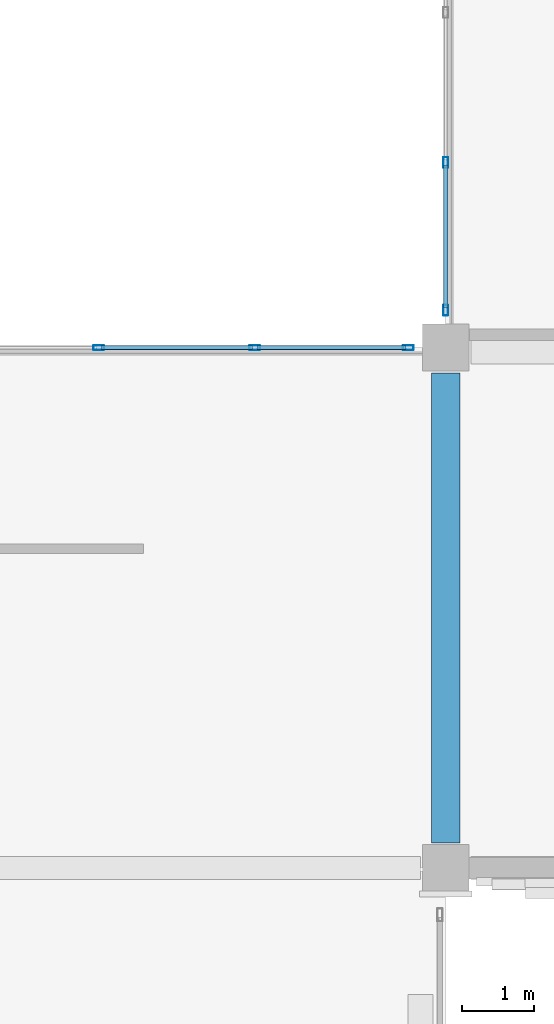
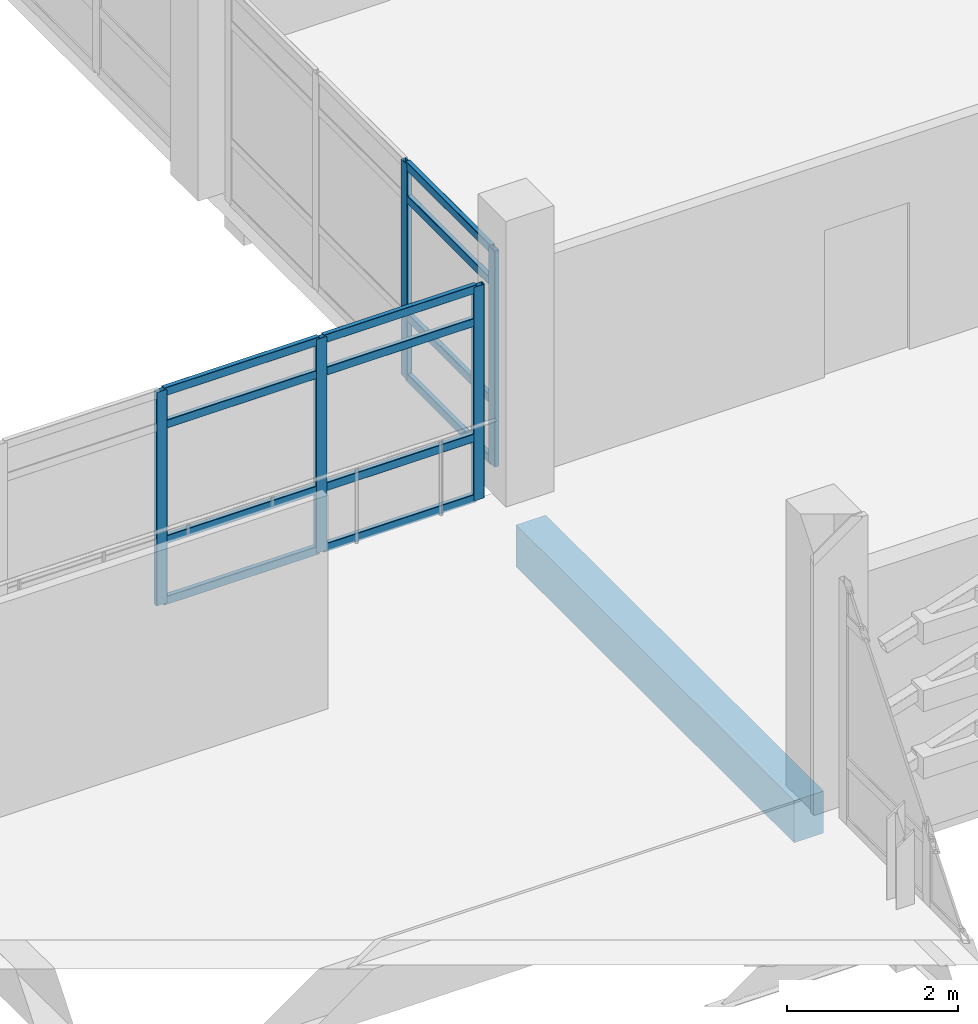
# One storey, part 20 of 72: 17 members, 1 beam, 2 elements without a shape of their own.
"""IFC4 building model written with IfcOpenShell, lengths in metres."""

import ifcopenshell
import ifcopenshell.guid

model = None  # the IFC model being written
_history = None  # IfcOwnerHistory: only IFC2X3 demands one
_inside = {}  # id of a spatial element -> (the spatial element, [elements in it])
_under = {}  # id of a project, library or spatial element -> (it, [spatial elements below it])
_declared = {}  # id of a project -> (the project, [libraries it declares])
_typed = {}  # id of a type object -> (the type object, [elements of that type])
_made_of = {}  # id of a material, layer set ... -> (it, [elements and type objects made of it])


def new_model(schema):
    """Start an empty IFC model of exactly this schema.

    Asked for "IFC4X3", IfcOpenShell would pick the latest addendum, in which some entities
    have other attributes; the version numbers below select the first issue.
    IFC2X3 requires an IfcOwnerHistory on every rooted entity: one is made here for all.
    """
    global model, _history
    if schema == "IFC4X3":
        model = ifcopenshell.file(schema_version=(4, 3, 0, 0))
    else:
        model = ifcopenshell.file(schema=schema)
    _inside.clear()
    _under.clear()
    _declared.clear()
    _typed.clear()
    _made_of.clear()
    _history = None
    if model.schema == "IFC2X3":
        org = make("IfcOrganization", Name="unknown")
        user = make(
            "IfcPersonAndOrganization",
            ThePerson=make("IfcPerson", FamilyName="unknown"),
            TheOrganization=org,
        )
        app = make(
            "IfcApplication",
            ApplicationDeveloper=org,
            Version="unknown",
            ApplicationFullName="unknown",
            ApplicationIdentifier="unknown",
        )
        _history = make(
            "IfcOwnerHistory",
            OwningUser=user,
            OwningApplication=app,
            ChangeAction="ADDED",
            CreationDate=0,
        )
    return model


def make(cls, **values):
    """One entity of the class cls with the attributes given. An attribute that is None is left unset."""
    return model.create_entity(
        cls, **{name: value for name, value in values.items() if value is not None}
    )


def rooted(cls, **values):
    """An entity with a GlobalId (a new one), such as an element, a storey or a relation."""
    return make(cls, GlobalId=ifcopenshell.guid.new(), OwnerHistory=_history, **values)


def si_unit(unit_type, name, prefix=None):
    """IfcSIUnit, for example si_unit("LENGTHUNIT", "METRE", prefix="MILLI")."""
    return make("IfcSIUnit", UnitType=unit_type, Prefix=prefix, Name=name)


def assignment(units):
    """IfcUnitAssignment: the units of a project."""
    return None if units is None else make("IfcUnitAssignment", Units=units)


def point(xyz):
    """IfcCartesianPoint."""
    return None if xyz is None else make("IfcCartesianPoint", Coordinates=xyz)


def direction(xyz):
    """IfcDirection."""
    return None if xyz is None else make("IfcDirection", DirectionRatios=xyz)


def frame(location, z_axis=None, x_axis=None):
    """IfcAxis2Placement3D, a coordinate frame: its origin and axes. An axis left out is left unset."""
    return make(
        "IfcAxis2Placement3D",
        Location=point(location),
        Axis=direction(z_axis),
        RefDirection=direction(x_axis),
    )


def frame_2d(location, x_axis=None):
    """IfcAxis2Placement2D, a coordinate frame in the plane: its origin and x axis."""
    return make(
        "IfcAxis2Placement2D", Location=point(location), RefDirection=direction(x_axis)
    )


def origin():
    """The frame at (0, 0, 0) with its axes left unset."""
    return frame((0.0, 0.0, 0.0))


def origin_2d():
    """The frame at (0, 0) in the plane with its x axis left unset."""
    return frame_2d((0.0, 0.0))


def place(relative_to, where):
    """IfcLocalPlacement: puts the frame where relative to a parent placement (None: the world)."""
    return make(
        "IfcLocalPlacement", PlacementRelTo=relative_to, RelativePlacement=where
    )


def context(
    kind, dimensions, precision=None, world=None, true_north=None, identifier=None
):
    """IfcGeometricRepresentationContext, for example the 3D "Model" context."""
    return make(
        "IfcGeometricRepresentationContext",
        ContextIdentifier=identifier,
        ContextType=kind,
        CoordinateSpaceDimension=dimensions,
        Precision=precision,
        WorldCoordinateSystem=world,
        TrueNorth=true_north,
    )


def subcontext(parent, identifier, kind, view, scale=None):
    """IfcGeometricRepresentationSubContext, for example "Body" below "Model"."""
    return make(
        "IfcGeometricRepresentationSubContext",
        ContextIdentifier=identifier,
        ContextType=kind,
        ParentContext=parent,
        TargetScale=scale,
        TargetView=view,
    )


def project(units=None, contexts=None):
    """IfcProject with its units and contexts."""
    return rooted(
        "IfcProject",
        Name="project",
        RepresentationContexts=contexts,
        UnitsInContext=assignment(units),
    )


def spatial(cls, under=None, at=None, **own):
    """A site, building, storey or space (cls), placed at a placement, below another one or the project."""
    s = rooted(cls, ObjectPlacement=at, **own)
    if under is not None:
        _under.setdefault(under.id(), (under, []))[1].append(s)
    return s


def profile(cls, at=None, kind="AREA", **sizes):
    """A parametric profile (cls). Its sizes go by their IFC names, for example OverallWidth=200.0."""
    return make(cls, ProfileType=kind, Position=at, **sizes)


def rectangle(**sizes):
    """IfcRectangleProfileDef."""
    return profile("IfcRectangleProfileDef", **sizes)


def hollow_rectangle(**sizes):
    """IfcRectangleHollowProfileDef."""
    return profile("IfcRectangleHollowProfileDef", **sizes)


def extrude(swept, where, along, depth):
    """IfcExtrudedAreaSolid: the profile swept, set in the frame where, extruded along a direction by depth."""
    return make(
        "IfcExtrudedAreaSolid",
        SweptArea=swept,
        Position=where,
        ExtrudedDirection=direction(along),
        Depth=depth,
    )


def shape(context_of_items, identifier, shape_type, items):
    """IfcShapeRepresentation: the items that make up one representation, for example the "Body"."""
    return make(
        "IfcShapeRepresentation",
        ContextOfItems=context_of_items,
        RepresentationIdentifier=identifier,
        RepresentationType=shape_type,
        Items=items,
    )


def material(Name=None, Category=None):
    """IfcMaterial."""
    return make("IfcMaterial", Name=Name, Category=Category)


def layer(
    of_material, thickness, ventilated=None, Name=None, Category=None, Priority=None
):
    """IfcMaterialLayer: one layer of a wall or slab, of a material (None: an air gap)."""
    return make(
        "IfcMaterialLayer",
        Material=of_material,
        LayerThickness=thickness,
        IsVentilated=ventilated,
        Name=Name,
        Category=Category,
        Priority=Priority,
    )


def layer_set(layers, Name=None):
    """IfcMaterialLayerSet."""
    return make("IfcMaterialLayerSet", MaterialLayers=layers, LayerSetName=Name)


def material_profile(
    of_material, cross_section, Name=None, Category=None, Priority=None
):
    """IfcMaterialProfile: a cross section and its material."""
    return make(
        "IfcMaterialProfile",
        Name=Name,
        Material=of_material,
        Profile=cross_section,
        Priority=Priority,
        Category=Category,
    )


def profile_set(profiles, Name=None, composite=None):
    """IfcMaterialProfileSet."""
    return make(
        "IfcMaterialProfileSet",
        Name=Name,
        MaterialProfiles=profiles,
        CompositeProfile=composite,
    )


def made_of(thing, what):
    """Note that an element or type object is made of a material, layer set ...; save() writes the relation."""
    if what is not None:
        _made_of.setdefault(what.id(), (what, []))[1].append(thing)
    return thing


def type_object(cls, material=None, **own):
    """A type object (cls), such as IfcWallType, which elements share."""
    return made_of(rooted(cls, **own), material)


def element(
    cls,
    number,
    at=None,
    inside=None,
    cuts=None,
    type_object=None,
    material=None,
    context=None,
    identifier="Body",
    shape_type=None,
    held_by="IfcProductDefinitionShape",
    body=None,
    shapes=None,
    **own,
):
    """One element of the class cls, such as IfcWall. Its Tag is "e" and its number.

    at: its placement. inside: the storey or other place that contains it. cuts: it is an
    opening in that element (IfcRelVoidsElement). A single representation is given by context,
    identifier, shape_type and body (its items); several are given by shapes. held_by: the class
    of the entity that holds the representations. save() writes the other relations.
    """
    e = rooted(cls, Tag="e%d" % number, ObjectPlacement=at, **own)
    if body is not None:
        shapes = [shape(context, identifier, shape_type, body)]
    if shapes is not None:
        e.Representation = make(held_by, Representations=shapes)
    if inside is not None:
        _inside.setdefault(inside.id(), (inside, []))[1].append(e)
    if cuts is not None:
        rooted(
            "IfcRelVoidsElement", RelatingBuildingElement=cuts, RelatedOpeningElement=e
        )
    if type_object is not None:
        _typed.setdefault(type_object.id(), (type_object, []))[1].append(e)
    return made_of(e, material)


def aggregate(whole, parts):
    """IfcRelAggregates: a whole, such as a stair, and the parts it consists of."""
    return rooted("IfcRelAggregates", RelatingObject=whole, RelatedObjects=parts)


def save(model, path):
    """Write the relations noted so far, then the file.

    IfcRelAggregates (storeys below a building ...), IfcRelContainedInSpatialStructure (elements
    in a storey), IfcRelDefinesByType, IfcRelAssociatesMaterial and IfcRelDeclares: one each for
    every whole, place, type object, material and project.
    """
    for whole, parts in _under.values():
        aggregate(whole, parts)
    for where, things in _inside.values():
        rooted(
            "IfcRelContainedInSpatialStructure",
            RelatedElements=things,
            RelatingStructure=where,
        )
    for kind, things in _typed.values():
        rooted("IfcRelDefinesByType", RelatedObjects=things, RelatingType=kind)
    for what, things in _made_of.values():
        rooted("IfcRelAssociatesMaterial", RelatedObjects=things, RelatingMaterial=what)
    for by, libraries in _declared.values():
        rooted("IfcRelDeclares", RelatingContext=by, RelatedDefinitions=libraries)
    model.write(path)


model = new_model("IFC4")

# Units and contexts
model_context = context("Model", 3, precision=1e-05, world=origin(), true_north=direction((0.0, 1.0)))
body_context = subcontext(model_context, "Body", "Model", "MODEL_VIEW")
ifc_project = project(units=[si_unit("LENGTHUNIT", "METRE"), si_unit("AREAUNIT", "SQUARE_METRE"), si_unit("VOLUMEUNIT", "CUBIC_METRE"), si_unit("PLANEANGLEUNIT", "RADIAN"), si_unit("MASSUNIT", "GRAM", prefix="KILO")], contexts=[model_context])

# Site, building, storey
site_placement = place(None, origin())
site = spatial("IfcSite", under=ifc_project, at=site_placement, CompositionType="ELEMENT")
building_placement = place(site_placement, origin())
building = spatial("IfcBuilding", under=site, at=building_placement, Name="Asteropetra Specialist Clinic", CompositionType="ELEMENT")
storey_placement = place(building_placement, frame((0.0, 0.0, 12.580078125)))
storey = spatial("IfcBuildingStorey", under=building, at=storey_placement, Name="L03", CompositionType="ELEMENT", Elevation=12.580078125)

# Beam
ifc_material_1 = material(Name="Concrete C35/45", Category="concrete")
ifc_material_profile_1 = material_profile(ifc_material_1, rectangle(XDim=0.39990234375, YDim=0.60009765625, at=origin_2d()), Name="RCB 400x600")
ifc_profile_set_1 = profile_set([ifc_material_profile_1], Name="Concrete C35/45")
beam_type = type_object("IfcBeamType", Name="BM-RC400x600", PredefinedType="BEAM", material=ifc_profile_set_1)
beam_placement = place(storey_placement, frame((28.800048828125, 69.949951171875, -0.580078125), z_axis=(0.0, 1.0, 0.0), x_axis=(-1.0, 0.0, 0.0)))
element("IfcBeam", 1, at=beam_placement, inside=storey, type_object=beam_type, Name="Beam BBM08-1599", PredefinedType="BEAM", context=body_context, shape_type="SweptSolid", body=[
    extrude(rectangle(XDim=0.39990234375, YDim=0.60009765625, at=origin_2d()), origin(), (0.0, 0.0, 1.0), 6.5),
])

# Curtain wall, members
ifc_material_2 = material(Name="Aluminium and low-E glass", Category="aluminium")
ifc_layer_1 = layer(ifc_material_2, 0.135009765625)
ifc_layer_set_1 = layer_set([ifc_layer_1], Name="Aluminium and low-E glass")
curtain_wall_type_1 = type_object("IfcCurtainWallType", Name="CW-SYS-03", PredefinedType="USERDEFINED", material=ifc_layer_set_1)
curtain_wall_1_placement = place(storey_placement, origin())
curtain_wall_1 = element("IfcCurtainWall", 2, at=curtain_wall_1_placement, inside=storey, type_object=curtain_wall_type_1, Name="Curtain Wall CW-043", ObjectType="UNITISED CURTAIN WALL", PredefinedType="USERDEFINED")
ifc_material_3 = material(Name="Aluminium 6063-T6", Category="aluminium")
ifc_material_profile_2 = material_profile(ifc_material_3, hollow_rectangle(XDim=0.06494140625, YDim=0.14990234375, WallThickness=0.00390625, InnerFilletRadius=0.00390625, OuterFilletRadius=0.008056640625, at=origin_2d()), Name="MUL 150x65x4.0")
ifc_profile_set_2 = profile_set([ifc_material_profile_2], Name="Aluminium 6063-T6")
member_type_1 = type_object("IfcMemberType", Name="CWM-150x65", PredefinedType="MULLION", material=ifc_profile_set_2)
member_1_placement = place(storey_placement, frame((24.0, 76.800048828125, 0.0), z_axis=(0.0, 0.0, 1.0), x_axis=(0.0, 1.0, 0.0)))
member_1 = element("IfcMember", 3, at=member_1_placement, type_object=member_type_1, Name="CW-043 mullion 3", PredefinedType="MULLION", context=body_context, shape_type="SweptSolid", body=[
    extrude(hollow_rectangle(XDim=0.06494140625, YDim=0.14990234375, WallThickness=0.00390625, InnerFilletRadius=0.00390625, OuterFilletRadius=0.008056640625, at=origin_2d()), origin(), (0.0, 0.0, 1.0), 3.0498046875),
])
member_2_placement = place(storey_placement, frame((26.157470703125, 76.800048828125, 0.0), z_axis=(0.0, 0.0, 1.0), x_axis=(0.0, 1.0, 0.0)))
member_2 = element("IfcMember", 4, at=member_2_placement, type_object=member_type_1, Name="CW-043 mullion 4", PredefinedType="MULLION", context=body_context, shape_type="SweptSolid", body=[
    extrude(hollow_rectangle(XDim=0.06494140625, YDim=0.14990234375, WallThickness=0.00390625, InnerFilletRadius=0.00390625, OuterFilletRadius=0.008056640625, at=origin_2d()), origin(), (0.0, 0.0, 1.0), 3.0498046875),
])
member_3_placement = place(storey_placement, frame((28.282470703125, 76.800048828125, 0.0), z_axis=(0.0, 0.0, 1.0), x_axis=(0.0, 1.0, 0.0)))
member_3 = element("IfcMember", 5, at=member_3_placement, type_object=member_type_1, Name="CW-043 mullion 5", PredefinedType="MULLION", context=body_context, shape_type="SweptSolid", body=[
    extrude(hollow_rectangle(XDim=0.06494140625, YDim=0.14990234375, WallThickness=0.00390625, InnerFilletRadius=0.00390625, OuterFilletRadius=0.008056640625, at=origin_2d()), origin(), (0.0, 0.0, 1.0), 3.0498046875),
])

ifc_material_4 = material(Name="Aluminium and low-E glass", Category="aluminium")
ifc_layer_2 = layer(ifc_material_4, 0.14990234375)
ifc_layer_set_2 = layer_set([ifc_layer_2], Name="Aluminium and low-E glass")
curtain_wall_type_2 = type_object("IfcCurtainWallType", Name="CW-SYS-05", PredefinedType="USERDEFINED", material=ifc_layer_set_2)
curtain_wall_2_placement = place(storey_placement, origin())
curtain_wall_2 = element("IfcCurtainWall", 6, at=curtain_wall_2_placement, inside=storey, type_object=curtain_wall_type_2, Name="Curtain Wall CW-046", ObjectType="UNITISED CURTAIN WALL", PredefinedType="USERDEFINED")
member_4_placement = place(storey_placement, frame((28.800048828125, 77.3173828125, 0.0), z_axis=(0.0, 0.0, 1.0), x_axis=(-1.0, 0.0, 0.0)))
member_4 = element("IfcMember", 7, at=member_4_placement, type_object=member_type_1, Name="CW-046 mullion 1", PredefinedType="MULLION", context=body_context, shape_type="SweptSolid", body=[
    extrude(hollow_rectangle(XDim=0.06494140625, YDim=0.14990234375, WallThickness=0.00390625, InnerFilletRadius=0.00390625, OuterFilletRadius=0.008056640625, at=origin_2d()), origin(), (0.0, 0.0, 1.0), 3.079833984375),
])
member_5_placement = place(storey_placement, frame((28.800048828125, 79.361572265625, 0.0), z_axis=(0.0, 0.0, 1.0), x_axis=(-1.0, 0.0, 0.0)))
member_5 = element("IfcMember", 8, at=member_5_placement, type_object=member_type_1, Name="CW-046 mullion 2", PredefinedType="MULLION", context=body_context, shape_type="SweptSolid", body=[
    extrude(hollow_rectangle(XDim=0.06494140625, YDim=0.14990234375, WallThickness=0.00390625, InnerFilletRadius=0.00390625, OuterFilletRadius=0.008056640625, at=origin_2d()), origin(), (0.0, 0.0, 1.0), 3.079833984375),
])

# Member
ifc_material_5 = material(Name="Aluminium 6063-T6", Category="aluminium")
ifc_material_profile_3 = material_profile(ifc_material_5, hollow_rectangle(XDim=0.06494140625, YDim=0.1201171875, WallThickness=0.00390625, InnerFilletRadius=0.00390625, OuterFilletRadius=0.008056640625, at=origin_2d()), Name="TRN 120x65x4.0")
ifc_profile_set_3 = profile_set([ifc_material_profile_3], Name="Aluminium 6063-T6")
member_type_2 = type_object("IfcMemberType", Name="CWT-120x65", PredefinedType="USERDEFINED", material=ifc_profile_set_3)
member_6_placement = place(storey_placement, frame((24.032470703125, 76.800048828125, 0.032470703125), z_axis=(1.0, 0.0, 0.0), x_axis=(0.0, 1.0, 0.0)))
member_6 = element("IfcMember", 9, at=member_6_placement, type_object=member_type_2, Name="CW-043 transom 3.1", ObjectType="TRANSOM", PredefinedType="USERDEFINED", context=body_context, shape_type="SweptSolid", body=[
    extrude(hollow_rectangle(XDim=0.06494140625, YDim=0.1201171875, WallThickness=0.00390625, InnerFilletRadius=0.00390625, OuterFilletRadius=0.008056640625, at=origin_2d()), origin(), (0.0, 0.0, 1.0), 2.092529296875),
])

member_7_placement = place(storey_placement, frame((24.032470703125, 76.800048828125, 0.89990234375), z_axis=(1.0, 0.0, 0.0), x_axis=(0.0, 1.0, 0.0)))
member_7 = element("IfcMember", 10, at=member_7_placement, type_object=member_type_2, Name="CW-043 transom 3.2", ObjectType="TRANSOM", PredefinedType="USERDEFINED", context=body_context, shape_type="SweptSolid", body=[
    extrude(hollow_rectangle(XDim=0.06494140625, YDim=0.1201171875, WallThickness=0.00390625, InnerFilletRadius=0.00390625, OuterFilletRadius=0.008056640625, at=origin_2d()), origin(), (0.0, 0.0, 1.0), 2.092529296875),
])

member_8_placement = place(storey_placement, frame((24.032470703125, 76.800048828125, 2.5498046875), z_axis=(1.0, 0.0, 0.0), x_axis=(0.0, 1.0, 0.0)))
member_8 = element("IfcMember", 11, at=member_8_placement, type_object=member_type_2, Name="CW-043 transom 3.3", ObjectType="TRANSOM", PredefinedType="USERDEFINED", context=body_context, shape_type="SweptSolid", body=[
    extrude(hollow_rectangle(XDim=0.06494140625, YDim=0.1201171875, WallThickness=0.00390625, InnerFilletRadius=0.00390625, OuterFilletRadius=0.008056640625, at=origin_2d()), origin(), (0.0, 0.0, 1.0), 2.092529296875),
])

member_9_placement = place(storey_placement, frame((24.032470703125, 76.800048828125, 3.017333984375), z_axis=(1.0, 0.0, 0.0), x_axis=(0.0, 1.0, 0.0)))
member_9 = element("IfcMember", 12, at=member_9_placement, type_object=member_type_2, Name="CW-043 transom 3.4", ObjectType="TRANSOM", PredefinedType="USERDEFINED", context=body_context, shape_type="SweptSolid", body=[
    extrude(hollow_rectangle(XDim=0.06494140625, YDim=0.1201171875, WallThickness=0.00390625, InnerFilletRadius=0.00390625, OuterFilletRadius=0.008056640625, at=origin_2d()), origin(), (0.0, 0.0, 1.0), 2.092529296875),
])

member_10_placement = place(storey_placement, frame((26.18994140625, 76.800048828125, 0.032470703125), z_axis=(1.0, 0.0, 0.0), x_axis=(0.0, 1.0, 0.0)))
member_10 = element("IfcMember", 13, at=member_10_placement, type_object=member_type_2, Name="CW-043 transom 4.1", ObjectType="TRANSOM", PredefinedType="USERDEFINED", context=body_context, shape_type="SweptSolid", body=[
    extrude(hollow_rectangle(XDim=0.06494140625, YDim=0.1201171875, WallThickness=0.00390625, InnerFilletRadius=0.00390625, OuterFilletRadius=0.008056640625, at=origin_2d()), origin(), (0.0, 0.0, 1.0), 2.06005859375),
])

member_11_placement = place(storey_placement, frame((26.18994140625, 76.800048828125, 0.89990234375), z_axis=(1.0, 0.0, 0.0), x_axis=(0.0, 1.0, 0.0)))
member_11 = element("IfcMember", 14, at=member_11_placement, type_object=member_type_2, Name="CW-043 transom 4.2", ObjectType="TRANSOM", PredefinedType="USERDEFINED", context=body_context, shape_type="SweptSolid", body=[
    extrude(hollow_rectangle(XDim=0.06494140625, YDim=0.1201171875, WallThickness=0.00390625, InnerFilletRadius=0.00390625, OuterFilletRadius=0.008056640625, at=origin_2d()), origin(), (0.0, 0.0, 1.0), 2.06005859375),
])

member_12_placement = place(storey_placement, frame((26.18994140625, 76.800048828125, 2.5498046875), z_axis=(1.0, 0.0, 0.0), x_axis=(0.0, 1.0, 0.0)))
member_12 = element("IfcMember", 15, at=member_12_placement, type_object=member_type_2, Name="CW-043 transom 4.3", ObjectType="TRANSOM", PredefinedType="USERDEFINED", context=body_context, shape_type="SweptSolid", body=[
    extrude(hollow_rectangle(XDim=0.06494140625, YDim=0.1201171875, WallThickness=0.00390625, InnerFilletRadius=0.00390625, OuterFilletRadius=0.008056640625, at=origin_2d()), origin(), (0.0, 0.0, 1.0), 2.06005859375),
])

member_13_placement = place(storey_placement, frame((26.18994140625, 76.800048828125, 3.017333984375), z_axis=(1.0, 0.0, 0.0), x_axis=(0.0, 1.0, 0.0)))
member_13 = element("IfcMember", 16, at=member_13_placement, type_object=member_type_2, Name="CW-043 transom 4.4", ObjectType="TRANSOM", PredefinedType="USERDEFINED", context=body_context, shape_type="SweptSolid", body=[
    extrude(hollow_rectangle(XDim=0.06494140625, YDim=0.1201171875, WallThickness=0.00390625, InnerFilletRadius=0.00390625, OuterFilletRadius=0.008056640625, at=origin_2d()), origin(), (0.0, 0.0, 1.0), 2.06005859375),
])

aggregate(curtain_wall_1, [member_1, member_2, member_3, member_6, member_7, member_8, member_9, member_10, member_11, member_12, member_13])

member_14_placement = place(storey_placement, frame((28.800048828125, 77.35009765625, 0.032470703125), z_axis=(0.0, 1.0, 0.0), x_axis=(-1.0, 0.0, 0.0)))
member_14 = element("IfcMember", 17, at=member_14_placement, type_object=member_type_2, Name="CW-046 transom 1.1", ObjectType="TRANSOM", PredefinedType="USERDEFINED", context=body_context, shape_type="SweptSolid", body=[
    extrude(hollow_rectangle(XDim=0.06494140625, YDim=0.1201171875, WallThickness=0.00390625, InnerFilletRadius=0.00390625, OuterFilletRadius=0.008056640625, at=origin_2d()), origin(), (0.0, 0.0, 1.0), 1.97900390625),
])

member_15_placement = place(storey_placement, frame((28.800048828125, 77.35009765625, 0.89990234375), z_axis=(0.0, 1.0, 0.0), x_axis=(-1.0, 0.0, 0.0)))
member_15 = element("IfcMember", 18, at=member_15_placement, type_object=member_type_2, Name="CW-046 transom 1.2", ObjectType="TRANSOM", PredefinedType="USERDEFINED", context=body_context, shape_type="SweptSolid", body=[
    extrude(hollow_rectangle(XDim=0.06494140625, YDim=0.1201171875, WallThickness=0.00390625, InnerFilletRadius=0.00390625, OuterFilletRadius=0.008056640625, at=origin_2d()), origin(), (0.0, 0.0, 1.0), 1.97900390625),
])

member_16_placement = place(storey_placement, frame((28.800048828125, 77.35009765625, 2.579833984375), z_axis=(0.0, 1.0, 0.0), x_axis=(-1.0, 0.0, 0.0)))
member_16 = element("IfcMember", 19, at=member_16_placement, type_object=member_type_2, Name="CW-046 transom 1.3", ObjectType="TRANSOM", PredefinedType="USERDEFINED", context=body_context, shape_type="SweptSolid", body=[
    extrude(hollow_rectangle(XDim=0.06494140625, YDim=0.1201171875, WallThickness=0.00390625, InnerFilletRadius=0.00390625, OuterFilletRadius=0.008056640625, at=origin_2d()), origin(), (0.0, 0.0, 1.0), 1.97900390625),
])

member_17_placement = place(storey_placement, frame((28.800048828125, 77.35009765625, 3.04736328125), z_axis=(0.0, 1.0, 0.0), x_axis=(-1.0, 0.0, 0.0)))
member_17 = element("IfcMember", 20, at=member_17_placement, type_object=member_type_2, Name="CW-046 transom 1.4", ObjectType="TRANSOM", PredefinedType="USERDEFINED", context=body_context, shape_type="SweptSolid", body=[
    extrude(hollow_rectangle(XDim=0.06494140625, YDim=0.1201171875, WallThickness=0.00390625, InnerFilletRadius=0.00390625, OuterFilletRadius=0.008056640625, at=origin_2d()), origin(), (0.0, 0.0, 1.0), 1.97900390625),
])

aggregate(curtain_wall_2, [member_4, member_5, member_14, member_15, member_16, member_17])

save(model, "model.ifc")
